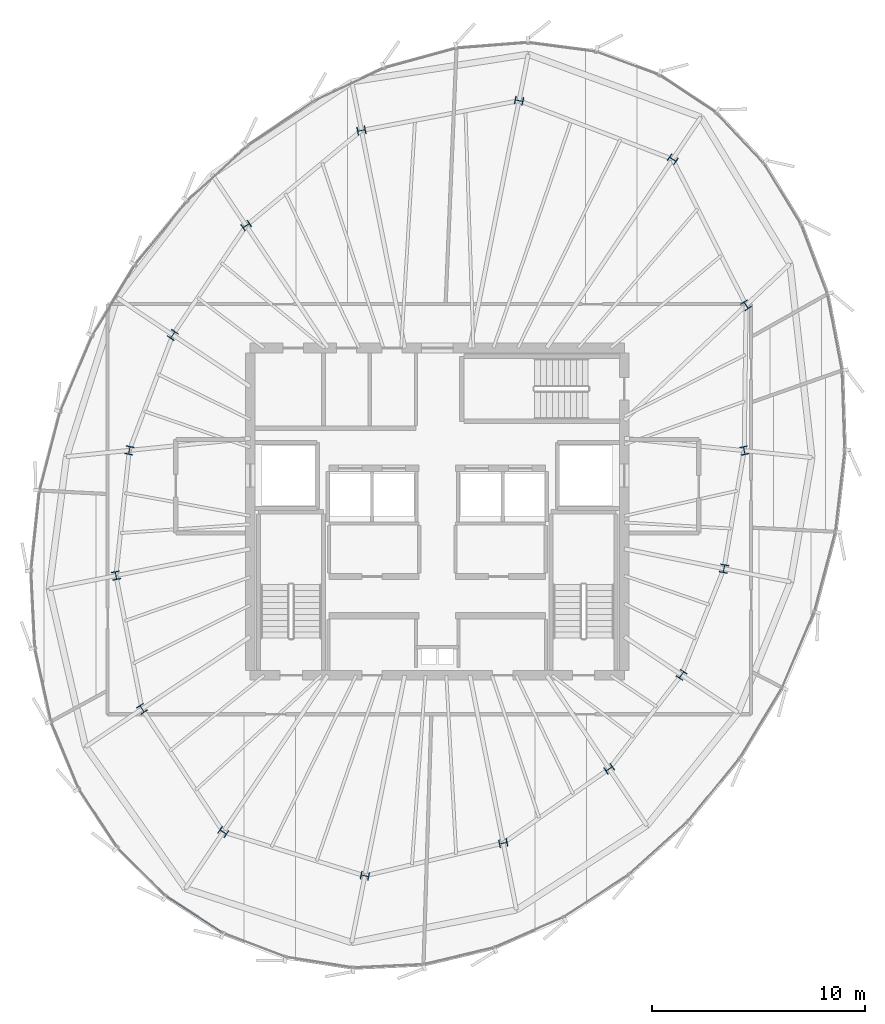
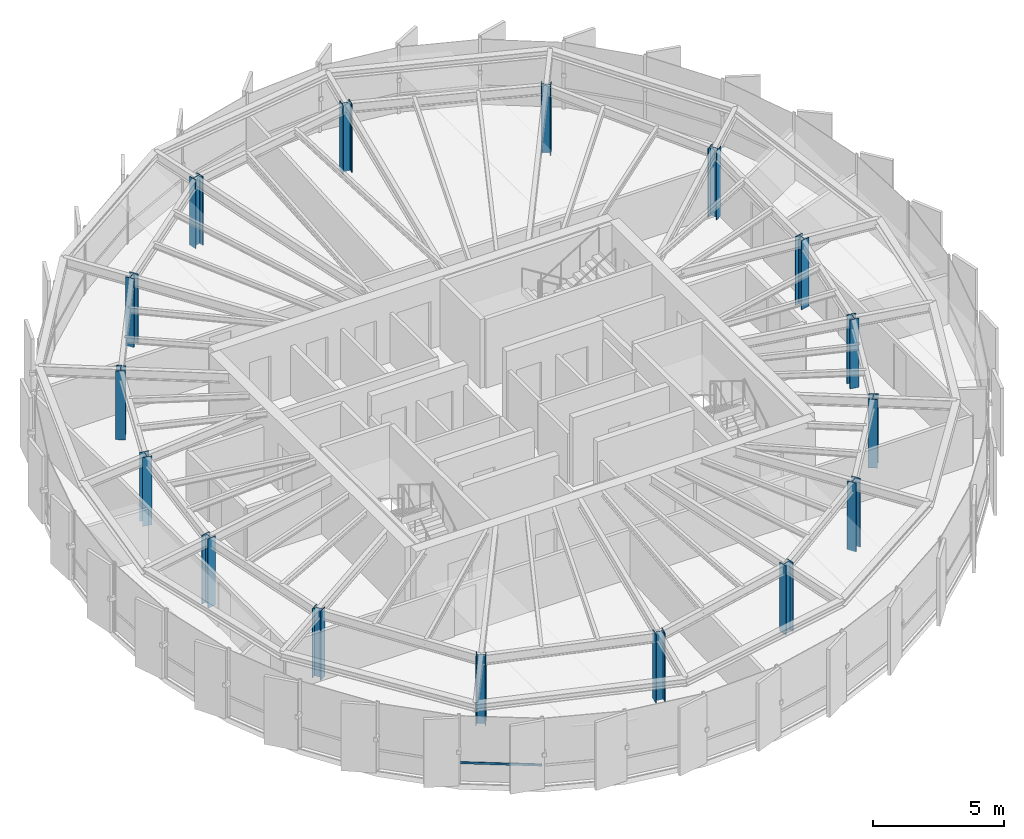
# One storey, part 1 of 31: 16 columns, 1 member, 1 element without a shape of its own.
"""IFC4 building model written with IfcOpenShell, lengths in metres."""

from ifc_helpers import new_model, si_unit, direction, frame, origin, origin_2d, place, context, subcontext, project, spatial, hollow_rectangle, i_section, extrude, source, transform, mapped, material, layer, layer_set, material_profile, profile_set, type_object, element, aggregate, save


model = new_model("IFC4")

# Units and contexts
model_context = context("Model", 3, precision=1e-05, world=origin(), true_north=direction((0.0, 1.0)))
body_context = subcontext(model_context, "Body", "Model", "MODEL_VIEW")
ifc_project = project(units=[si_unit("LENGTHUNIT", "METRE"), si_unit("AREAUNIT", "SQUARE_METRE"), si_unit("VOLUMEUNIT", "CUBIC_METRE"), si_unit("PLANEANGLEUNIT", "RADIAN"), si_unit("MASSUNIT", "GRAM", prefix="KILO"), si_unit("THERMODYNAMICTEMPERATUREUNIT", "KELVIN")], contexts=[model_context])

# Site, building, storey
site_placement = place(None, origin())
site = spatial("IfcSite", under=ifc_project, at=site_placement, CompositionType="ELEMENT")
building_placement = place(site_placement, origin())
building = spatial("IfcBuilding", under=site, at=building_placement, Name="Kethvar Cultural Tower", CompositionType="ELEMENT")
storey_placement = place(building_placement, frame((0.0, 0.0, 287.050048828125)))
storey = spatial("IfcBuildingStorey", under=building, at=storey_placement, Name="L76", CompositionType="ELEMENT", Elevation=287.050048828125)

# Columns
ifc_material_1 = material(Name="Steel S355J2", Category="steel")
ifc_material_profile_1 = material_profile(ifc_material_1, i_section(OverallWidth=0.3740234375, OverallDepth=0.383056640625, WebThickness=0.0166015625, FlangeThickness=0.026123046875, FilletRadius=0.014892578125, at=origin_2d()), Name="Steel S355J2 — HD360x300")
ifc_profile_set_1 = profile_set([ifc_material_profile_1], Name="Steel S355J2 — HD360x300")
column_type = type_object("IfcColumnType", Name="COL-HD300", PredefinedType="COLUMN", material=ifc_profile_set_1)
shared_shape_1 = source(origin(), body_context, "Body", "SweptSolid", [
    extrude(i_section(OverallWidth=0.3740234375, OverallDepth=0.383056640625, WebThickness=0.0166015625, FlangeThickness=0.026123046875, FilletRadius=0.014892578125, at=origin_2d()), origin(), (0.0, 0.0, 1.0), 3.2099609375),
])
for number, where, z_axis, x_axis, name in (
    (1, (61.237060546875, 30.671630859375, 0.0), (0.0, 0.0, 1.0), (0.980785280403, 0.195090322016, 0.0), "L76 Mega-Column MC-01"),
    (2, (61.32568359375, 37.505859375, 0.0), (0.0, 0.0, 1.0), (0.831469612303, 0.55557023302, 0.0), "L76 Mega-Column MC-02"),
    (3, (57.875244140625, 44.375, 0.0), (0.0, 0.0, 1.0), (0.55557023302, 0.831469612303, 0.0), "L76 Mega-Column MC-03"),
    (4, (50.645263671875, 47.131591796875, 0.0), (0.0, 0.0, 1.0), (0.195090322016, 0.980785280403, 0.0), "L76 Mega-Column MC-04"),
    (5, (43.23291015625, 45.732421875, 0.0), (0.0, 0.0, 1.0), (-0.195090322016, 0.980785280403, 0.0), "L76 Mega-Column MC-05"),
    (6, (37.8095703125, 41.255126953125, 0.0), (0.0, 0.0, 1.0), (-0.55557023302, 0.831469612303, 0.0), "L76 Mega-Column MC-06"),
    (7, (34.35595703125, 36.114990234375, 0.0), (0.0, 0.0, 1.0), (-0.831469612303, 0.55557023302, 0.0), "L76 Mega-Column MC-07"),
    (8, (32.3125, 30.681884765625, 0.0), (0.0, 0.0, 1.0), (-0.980785280403, 0.195090322016, 0.0), "L76 Mega-Column MC-08"),
    (9, (31.68310546875, 24.79296875, 0.0), (0.0, 0.0, 1.0), (-0.980785280403, -0.195090322016, 0.0), "L76 Mega-Column MC-09"),
    (10, (32.912841796875, 18.52099609375, 0.0), (0.0, 0.0, 1.0), (-0.831469612303, -0.55557023302, 0.0), "L76 Mega-Column MC-10"),
    (11, (36.731201171875, 12.73095703125, 0.0), (0.0, 0.0, 1.0), (-0.55557023302, -0.831469612303, 0.0), "L76 Mega-Column MC-11"),
    (12, (43.392822265625, 10.67138671875, 0.0), (0.0, 0.0, 1.0), (-0.195090322016, -0.980785280403, 0.0), "L76 Mega-Column MC-12"),
    (13, (49.901611328125, 12.206787109375, 0.0), (0.0, 0.0, 1.0), (0.195090322016, -0.980785280403, 0.0), "L76 Mega-Column MC-13"),
    (14, (54.885009765625, 15.7001953125, 0.0), (0.0, 0.0, 1.0), (0.55557023302, -0.831469612303, 0.0), "L76 Mega-Column MC-14"),
    (15, (58.287109375, 20.12451171875, 0.0), (0.0, 0.0, 1.0), (0.831469612303, -0.55557023302, 0.0), "L76 Mega-Column MC-15"),
    (16, (60.28369140625, 25.117919921875, 0.0), (0.0, 0.0, 1.0), (0.980785280403, -0.195090322016, 0.0), "L76 Mega-Column MC-16"),
):
    element("IfcColumn", number, at=place(storey_placement, frame(where, z_axis=z_axis, x_axis=x_axis)), inside=storey, type_object=column_type, Name=name, PredefinedType="COLUMN", context=body_context, shape_type="MappedRepresentation", body=[
        mapped(shared_shape_1, transform((0.0, 0.0, 0.0), scale=1.0)),
    ])

# Curtain wall, member
ifc_material_2 = material(Name="Aluminium 6063-T6", Category="aluminium")
ifc_layer = layer(ifc_material_2, 0.179931640625, Name="Aluminium 6063-T6", Category="aluminium")
ifc_layer_set = layer_set([ifc_layer], Name="Aluminium 6063-T6 (180 mm)")
curtain_wall_type = type_object("IfcCurtainWallType", Name="CW-SYS-05-Z56", PredefinedType="NOTDEFINED", material=ifc_layer_set)
curtain_wall_placement = place(storey_placement, origin())
curtain_wall = element("IfcCurtainWall", 17, at=curtain_wall_placement, inside=storey, type_object=curtain_wall_type, Name="L76 Curtain Wall Run 03", PredefinedType="NOTDEFINED")
ifc_material_profile_2 = material_profile(ifc_material_2, hollow_rectangle(XDim=0.050048828125, YDim=0.10009765625, WallThickness=0.00390625, at=origin_2d()), Name="Aluminium 6063-T6 — RHS100x50x4")
ifc_profile_set_2 = profile_set([ifc_material_profile_2], Name="Aluminium 6063-T6 — RHS100x50x4")
member_type = type_object("IfcMemberType", Name="CW-SYS-05-Z56-TRN", PredefinedType="USERDEFINED", material=ifc_profile_set_2)
shared_shape_2 = source(origin(), body_context, "Body", "SweptSolid", [
    extrude(hollow_rectangle(XDim=0.050048828125, YDim=0.10009765625, WallThickness=0.00390625, at=origin_2d()), origin(), (0.0, 0.0, 1.0), 3.118896484375),
])
member_placement = place(storey_placement, frame((34.066650390625, 9.703857421875, 0.949951171875), z_axis=(0.837797415707, -0.545981217841, 0.0), x_axis=(0.545981217841, 0.837797415707, 0.0)))
member = element("IfcMember", 18, at=member_placement, type_object=member_type, Name="CW-L76-R03 Transom 6", ObjectType="TRANSOM", PredefinedType="USERDEFINED", context=body_context, shape_type="MappedRepresentation", body=[
    mapped(shared_shape_2, transform((0.0, 0.0, 0.0), scale=1.0)),
])
aggregate(curtain_wall, [member])

save(model, "model.ifc")
